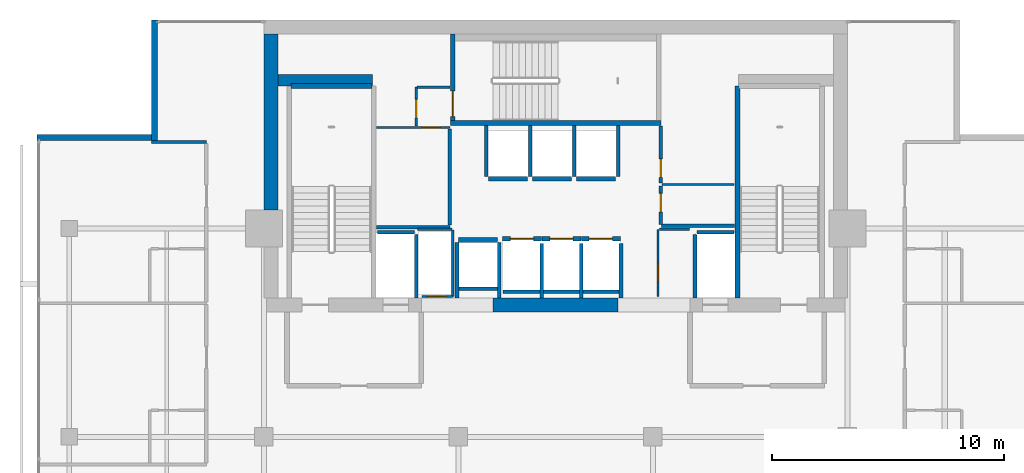
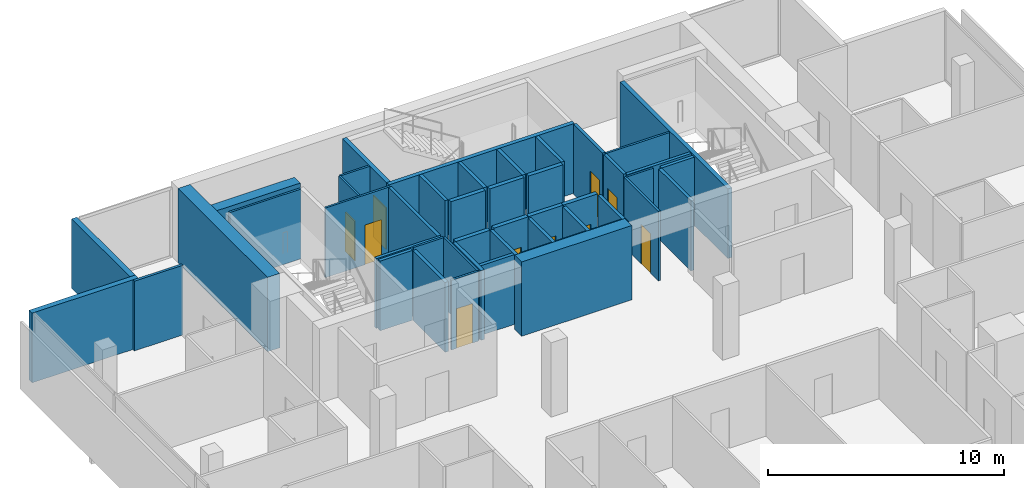
# One storey, part 22 of 25: 46 walls, 10 doors, 10 openings.
"""IFC4 building model written with IfcOpenShell, lengths in metres."""

from ifc_helpers import new_model, si_unit, direction, frame, frame_2d, origin, place, context, subcontext, project, spatial, rectangle, extrude, material, layer, layer_set, type_object, element, fill, save


model = new_model("IFC4")

# Units and contexts
model_context = context("Model", 3, precision=1e-05, world=origin(), true_north=direction((0.0, 1.0)))
body_context = subcontext(model_context, "Body", "Model", "MODEL_VIEW")
ifc_project = project(units=[si_unit("LENGTHUNIT", "METRE"), si_unit("AREAUNIT", "SQUARE_METRE"), si_unit("VOLUMEUNIT", "CUBIC_METRE"), si_unit("PLANEANGLEUNIT", "RADIAN"), si_unit("MASSUNIT", "GRAM", prefix="KILO")], contexts=[model_context])

# Site, building, storey
site_placement = place(None, origin())
site = spatial("IfcSite", under=ifc_project, at=site_placement, CompositionType="ELEMENT")
building_placement = place(site_placement, origin())
building = spatial("IfcBuilding", under=site, at=building_placement, Name="Maruvema Waterfront Hotel and Observation Tower", CompositionType="ELEMENT")
storey_placement = place(building_placement, frame((0.0, 0.0, 262.5)))
storey = spatial("IfcBuildingStorey", under=building, at=storey_placement, Name="L64", CompositionType="ELEMENT", Elevation=262.5)

# Walls
ifc_material_1 = material(Name="Twin-stud acoustic gypsum drywall", Category="gypsum")
ifc_layer_1 = layer(ifc_material_1, 0.14990234375, Name="Acoustic Corridor and Suite Demising Wall 150 mm")
ifc_layer_set_1 = layer_set([ifc_layer_1], Name="Twin-stud acoustic gypsum drywall")
wall_type_1 = type_object("IfcWallType", Name="Acoustic Corridor and Suite Demising Wall 150 mm", PredefinedType="PARTITIONING", material=ifc_layer_set_1)
wall_1_placement = place(storey_placement, frame((30.06005859375, 45.06005859375, 0.0), z_axis=(0.0, 0.0, 1.0), x_axis=(1.0, 0.0, 0.0)))
element("IfcWall", 1, at=wall_1_placement, inside=storey, type_object=wall_type_1, Name="L64 Freed B1 South Wall 012", PredefinedType="PARTITIONING", context=body_context, shape_type="SweptSolid", body=[
    extrude(rectangle(XDim=3.179931640625, YDim=0.14990234375, at=frame_2d((1.58984375, 0.0))), origin(), (0.0, 0.0, 1.0), 3.610107421875),
])
wall_2_placement = place(storey_placement, frame((33.219970703125, 45.139892578125, 0.0), z_axis=(0.0, 0.0, 1.0), x_axis=(0.0, 1.0, 0.0)))
element("IfcWall", 2, at=wall_2_placement, inside=storey, type_object=wall_type_1, Name="L64 Freed B1 East Wall 013", PredefinedType="PARTITIONING", context=body_context, shape_type="SweptSolid", body=[
    extrude(rectangle(XDim=4.16015625, YDim=0.14990234375, at=frame_2d((2.080078125, 0.0))), origin(), (0.0, 0.0, 1.0), 3.610107421875),
])

# Wall, opening, door
wall_3_placement = place(storey_placement, frame((42.340087890625, 45.159912109375, 0.0), z_axis=(0.0, 0.0, 1.0), x_axis=(0.0, 1.0, 0.0)))
wall_3 = element("IfcWall", 3, at=wall_3_placement, inside=storey, type_object=wall_type_1, Name="L64 Freed B2 West S 017", PredefinedType="PARTITIONING", context=body_context, shape_type="SweptSolid", body=[
    extrude(rectangle(XDim=1.68017578125, YDim=0.14990234375, at=frame_2d((0.840087890625, 0.0))), origin(), (0.0, 0.0, 1.0), 3.610107421875),
])
opening_1_placement = place(wall_3_placement, frame((0.550048828125, 0.0, 0.0)))
opening_1 = element("IfcOpeningElement", 4, at=opening_1_placement, cuts=wall_3, Name="Opening DR-080", PredefinedType="OPENING", context=body_context, shape_type="SweptSolid", body=[
    extrude(rectangle(XDim=0.800048828125, YDim=2.050048828125, at=frame_2d((0.39990234375, 1.02490234375))), frame((0.0, 0.0849609375, 0.0), z_axis=(0.0, -1.0, 0.0), x_axis=(1.0, 0.0, 0.0)), (0.0, 0.0, 1.0), 0.169921875),
])
ifc_material_2 = material(Name="Powder-coated steel access leaf", Category="steel")
door_type_1 = type_object("IfcDoorType", Name="Riser and Service Cupboard Door 800x2050 mm", OperationType="NOTDEFINED", PredefinedType="DOOR", material=ifc_material_2)
door_1_placement = place(opening_1_placement, frame((0.800048828125, 0.0, 0.0), z_axis=(0.0, 0.0, 1.0), x_axis=(-1.0, 0.0, 0.0)))
door_1 = element("IfcDoor", 5, at=door_1_placement, inside=storey, type_object=door_type_1, Name="L64 Butler Service Pantry Door", OperationType="SINGLE_SWING_LEFT", OverallHeight=2.050048828125, OverallWidth=0.800048828125, PredefinedType="DOOR", context=body_context, shape_type="SweptSolid", body=[
    extrude(rectangle(XDim=0.800048828125, YDim=2.050048828125, at=frame_2d((0.39990234375, 1.02490234375))), frame((0.0, 0.02490234375, 0.0), z_axis=(0.0, -1.0, 0.0), x_axis=(1.0, 0.0, 0.0)), (0.0, 0.0, 1.0), 0.050048828125),
])
fill(opening_1, door_1)

wall_4_placement = place(storey_placement, frame((42.340087890625, 46.9599609375, 0.0), z_axis=(0.0, 0.0, 1.0), x_axis=(0.0, 1.0, 0.0)))
wall_4 = element("IfcWall", 6, at=wall_4_placement, inside=storey, type_object=wall_type_1, Name="L64 Freed B2 West N 018", PredefinedType="PARTITIONING", context=body_context, shape_type="SweptSolid", body=[
    extrude(rectangle(XDim=2.4599609375, YDim=0.14990234375, at=frame_2d((1.22998046875, 0.0))), origin(), (0.0, 0.0, 1.0), 3.610107421875),
])
opening_2_placement = place(wall_4_placement, frame((0.239990234375, 0.0, 0.0)))
opening_2 = element("IfcOpeningElement", 7, at=opening_2_placement, cuts=wall_4, Name="Opening DR-080", PredefinedType="OPENING", context=body_context, shape_type="SweptSolid", body=[
    extrude(rectangle(XDim=0.800048828125, YDim=2.050048828125, at=frame_2d((0.39990234375, 1.02490234375))), frame((0.0, 0.0849609375, 0.0), z_axis=(0.0, -1.0, 0.0), x_axis=(1.0, 0.0, 0.0)), (0.0, 0.0, 1.0), 0.169921875),
])
door_2_placement = place(opening_2_placement, frame((0.800048828125, 0.0, 0.0), z_axis=(0.0, 0.0, 1.0), x_axis=(-1.0, 0.0, 0.0)))
door_2 = element("IfcDoor", 8, at=door_2_placement, inside=storey, type_object=door_type_1, Name="L64 Core IT and Linen Store Door", OperationType="SINGLE_SWING_RIGHT", OverallHeight=2.050048828125, OverallWidth=0.800048828125, PredefinedType="DOOR", context=body_context, shape_type="SweptSolid", body=[
    extrude(rectangle(XDim=0.800048828125, YDim=2.050048828125, at=frame_2d((0.39990234375, 1.02490234375))), frame((0.0, 0.02490234375, 0.0), z_axis=(0.0, -1.0, 0.0), x_axis=(1.0, 0.0, 0.0)), (0.0, 0.0, 1.0), 0.050048828125),
])
fill(opening_2, door_2)

# Walls
wall_5_placement = place(storey_placement, frame((42.3798828125, 45.1201171875, 0.0), z_axis=(0.0, 0.0, 1.0), x_axis=(1.0, 0.0, 0.0)))
element("IfcWall", 9, at=wall_5_placement, inside=storey, type_object=wall_type_1, Name="L64 Freed B2 South Wall 020", PredefinedType="PARTITIONING", context=body_context, shape_type="SweptSolid", body=[
    extrude(rectangle(XDim=3.14013671875, YDim=0.14990234375, at=frame_2d((1.570068359375, 0.0))), origin(), (0.0, 0.0, 1.0), 3.610107421875),
])
ifc_material_3 = material(Name="Precast concrete C45/55", Category="concrete")
ifc_layer_2 = layer(ifc_material_3, 0.199951171875, Name="Core Shaft and Stairwell Enclosure Wall 200 mm")
ifc_layer_set_2 = layer_set([ifc_layer_2], Name="Precast concrete C45/55")
wall_type_2 = type_object("IfcWallType", Name="Core Shaft and Stairwell Enclosure Wall 200 mm", PredefinedType="SOLIDWALL", material=ifc_layer_set_2)
wall_6_placement = place(storey_placement, frame((26.3798828125, 51.14990234375, 0.0), z_axis=(0.0, 0.0, 1.0), x_axis=(1.0, 0.0, 0.0)))
element("IfcWall", 10, at=wall_6_placement, inside=storey, type_object=wall_type_2, Name="L64 Stairwell ST-01 Shaft Lining Wall", PredefinedType="SOLIDWALL", context=body_context, shape_type="SweptSolid", body=[
    extrude(rectangle(XDim=3.5, YDim=0.199951171875, at=frame_2d((1.75, 0.0))), origin(), (0.0, 0.0, 1.0), 3.610107421875),
])
wall_7_placement = place(storey_placement, frame((33.25, 49.550048828125, 0.0), z_axis=(0.0, 0.0, 1.0), x_axis=(1.0, 0.0, 0.0)))
element("IfcWall", 11, at=wall_7_placement, inside=storey, type_object=wall_type_2, Name="L64 Stairwell ST-02 Shaft Wall", PredefinedType="SOLIDWALL", context=body_context, shape_type="SweptSolid", body=[
    extrude(rectangle(XDim=9.10009765625, YDim=0.199951171875, at=frame_2d((4.550048828125, 0.0))), origin(), (0.0, 0.0, 1.0), 3.610107421875),
])

# Wall, opening, door
wall_8_placement = place(storey_placement, frame((33.35009765625, 49.64990234375, 0.0), z_axis=(0.0, 0.0, 1.0), x_axis=(0.0, 1.0, 0.0)))
wall_8 = element("IfcWall", 12, at=wall_8_placement, inside=storey, type_object=wall_type_2, Name="L64 Stairwell ST-02 Shaft Wall", PredefinedType="SOLIDWALL", context=body_context, shape_type="SweptSolid", body=[
    extrude(rectangle(XDim=3.75, YDim=0.199951171875, at=frame_2d((1.875, 0.0))), origin(), (0.0, 0.0, 1.0), 3.610107421875),
])
opening_3_placement = place(wall_8_placement, frame((0.179931640625, 0.0, 0.0)))
opening_3 = element("IfcOpeningElement", 13, at=opening_3_placement, cuts=wall_8, Name="Opening SD-02", PredefinedType="OPENING", context=body_context, shape_type="SweptSolid", body=[
    extrude(rectangle(XDim=1.10009765625, YDim=2.14990234375, at=frame_2d((0.550048828125, 1.074951171875))), frame((0.0, 0.10986328125, 0.0), z_axis=(0.0, -1.0, 0.0), x_axis=(1.0, 0.0, 0.0)), (0.0, 0.0, 1.0), 0.219970703125),
])
ifc_material_4 = material(Name="Fire-rated galvanised steel leaf", Category="steel")
door_type_2 = type_object("IfcDoorType", Name="Central Exit Stair Fire Door 1100x2150 mm", OperationType="NOTDEFINED", PredefinedType="DOOR", material=ifc_material_4)
door_3_placement = place(opening_3_placement, frame((1.10009765625, 0.0, 0.0), z_axis=(0.0, 0.0, 1.0), x_axis=(-1.0, 0.0, 0.0)))
door_3 = element("IfcDoor", 14, at=door_3_placement, inside=storey, type_object=door_type_2, Name="L64 Exit Stair ST-02 Fire Door", OperationType="SINGLE_SWING_LEFT", OverallHeight=2.14990234375, OverallWidth=1.10009765625, PredefinedType="DOOR", context=body_context, shape_type="SweptSolid", body=[
    extrude(rectangle(XDim=1.10009765625, YDim=2.14990234375, at=frame_2d((0.550048828125, 1.074951171875))), frame((0.0, 0.02490234375, 0.0), z_axis=(0.0, -1.0, 0.0), x_axis=(1.0, 0.0, 0.0)), (0.0, 0.0, 1.0), 0.050048828125),
])
fill(opening_3, door_3)

# Wall
wall_9_placement = place(storey_placement, frame((45.64990234375, 42.0, 0.0), z_axis=(0.0, 0.0, 1.0), x_axis=(0.0, 1.0, 0.0)))
element("IfcWall", 15, at=wall_9_placement, inside=storey, type_object=wall_type_2, Name="L64 Stairwell ST-03 West Shaft Wall", PredefinedType="SOLIDWALL", context=body_context, shape_type="SweptSolid", body=[
    extrude(rectangle(XDim=9.14990234375, YDim=0.199951171875, at=frame_2d((4.574951171875, 0.0))), origin(), (0.0, 0.0, 1.0), 3.610107421875),
])

# Wall, opening, door
wall_10_placement = place(storey_placement, frame((35.510009765625, 44.550048828125, 0.0), z_axis=(0.0, 0.0, 1.0), x_axis=(1.0, 0.0, 0.0)))
wall_10 = element("IfcWall", 16, at=wall_10_placement, inside=storey, type_object=wall_type_2, Name="L64 Lift LF-09 Hoistway Front Wall", PredefinedType="SOLIDWALL", context=body_context, shape_type="SweptSolid", body=[
    extrude(rectangle(XDim=1.679931640625, YDim=0.199951171875, at=frame_2d((0.83984375, 0.0))), origin(), (0.0, 0.0, 1.0), 3.610107421875),
])
opening_4_placement = place(wall_10_placement, frame((0.340087890625, 0.0, 0.0)))
opening_4 = element("IfcOpeningElement", 17, at=opening_4_placement, cuts=wall_10, Name="Opening LD-01", PredefinedType="OPENING", context=body_context, shape_type="SweptSolid", body=[
    extrude(rectangle(XDim=1.0, YDim=2.14990234375, at=frame_2d((0.5, 1.074951171875))), frame((0.0, 0.10986328125, 0.0), z_axis=(0.0, -1.0, 0.0), x_axis=(1.0, 0.0, 0.0)), (0.0, 0.0, 1.0), 0.219970703125),
])
ifc_material_5 = material(Name="Brushed stainless steel Grade 316", Category="steel")
door_type_3 = type_object("IfcDoorType", Name="Passenger Lift Sliding Landing Door 1000x2150 mm", OperationType="SLIDING_TO_LEFT", PredefinedType="DOOR", material=ifc_material_5)
door_4_placement = place(opening_4_placement, origin())
door_4 = element("IfcDoor", 18, at=door_4_placement, inside=storey, type_object=door_type_3, Name="L64 Lift LF-09 Sliding Landing Door", OperationType="SLIDING_TO_LEFT", OverallHeight=2.14990234375, OverallWidth=1.0, PredefinedType="DOOR", context=body_context, shape_type="SweptSolid", body=[
    extrude(rectangle(XDim=1.0, YDim=2.14990234375, at=frame_2d((0.5, 1.074951171875))), frame((0.0, 0.02490234375, 0.0), z_axis=(0.0, -1.0, 0.0), x_axis=(1.0, 0.0, 0.0)), (0.0, 0.0, 1.0), 0.050048828125),
])
fill(opening_4, door_4)

wall_11_placement = place(storey_placement, frame((37.2099609375, 44.550048828125, 0.0), z_axis=(0.0, 0.0, 1.0), x_axis=(1.0, 0.0, 0.0)))
wall_11 = element("IfcWall", 19, at=wall_11_placement, inside=storey, type_object=wall_type_2, Name="L64 Lift LF-10 Hoistway Front Wall", PredefinedType="SOLIDWALL", context=body_context, shape_type="SweptSolid", body=[
    extrude(rectangle(XDim=1.679931640625, YDim=0.199951171875, at=frame_2d((0.83984375, 0.0))), origin(), (0.0, 0.0, 1.0), 3.610107421875),
])
opening_5_placement = place(wall_11_placement, frame((0.340087890625, 0.0, 0.0)))
opening_5 = element("IfcOpeningElement", 20, at=opening_5_placement, cuts=wall_11, Name="Opening LD-01", PredefinedType="OPENING", context=body_context, shape_type="SweptSolid", body=[
    extrude(rectangle(XDim=1.0, YDim=2.14990234375, at=frame_2d((0.5, 1.074951171875))), frame((0.0, 0.10986328125, 0.0), z_axis=(0.0, -1.0, 0.0), x_axis=(1.0, 0.0, 0.0)), (0.0, 0.0, 1.0), 0.219970703125),
])
door_5_placement = place(opening_5_placement, origin())
door_5 = element("IfcDoor", 21, at=door_5_placement, inside=storey, type_object=door_type_3, Name="L64 Lift LF-10 Sliding Landing Door", OperationType="SLIDING_TO_LEFT", OverallHeight=2.14990234375, OverallWidth=1.0, PredefinedType="DOOR", context=body_context, shape_type="SweptSolid", body=[
    extrude(rectangle(XDim=1.0, YDim=2.14990234375, at=frame_2d((0.5, 1.074951171875))), frame((0.0, 0.02490234375, 0.0), z_axis=(0.0, -1.0, 0.0), x_axis=(1.0, 0.0, 0.0)), (0.0, 0.0, 1.0), 0.050048828125),
])
fill(opening_5, door_5)

wall_12_placement = place(storey_placement, frame((38.909912109375, 44.550048828125, 0.0), z_axis=(0.0, 0.0, 1.0), x_axis=(1.0, 0.0, 0.0)))
wall_12 = element("IfcWall", 22, at=wall_12_placement, inside=storey, type_object=wall_type_2, Name="L64 Lift LF-11 Hoistway Front Wall", PredefinedType="SOLIDWALL", context=body_context, shape_type="SweptSolid", body=[
    extrude(rectangle(XDim=1.68017578125, YDim=0.199951171875, at=frame_2d((0.840087890625, 0.0))), origin(), (0.0, 0.0, 1.0), 3.610107421875),
])
opening_6_placement = place(wall_12_placement, frame((0.340087890625, 0.0, 0.0)))
opening_6 = element("IfcOpeningElement", 23, at=opening_6_placement, cuts=wall_12, Name="Opening LD-01", PredefinedType="OPENING", context=body_context, shape_type="SweptSolid", body=[
    extrude(rectangle(XDim=1.0, YDim=2.14990234375, at=frame_2d((0.5, 1.074951171875))), frame((0.0, 0.10986328125, 0.0), z_axis=(0.0, -1.0, 0.0), x_axis=(1.0, 0.0, 0.0)), (0.0, 0.0, 1.0), 0.219970703125),
])
door_6_placement = place(opening_6_placement, origin())
door_6 = element("IfcDoor", 24, at=door_6_placement, inside=storey, type_object=door_type_3, Name="L64 Lift LF-11 Sliding Landing Door", OperationType="SLIDING_TO_LEFT", OverallHeight=2.14990234375, OverallWidth=1.0, PredefinedType="DOOR", context=body_context, shape_type="SweptSolid", body=[
    extrude(rectangle(XDim=1.0, YDim=2.14990234375, at=frame_2d((0.5, 1.074951171875))), frame((0.0, 0.02490234375, 0.0), z_axis=(0.0, -1.0, 0.0), x_axis=(1.0, 0.0, 0.0)), (0.0, 0.0, 1.0), 0.050048828125),
])
fill(opening_6, door_6)

# Walls
wall_13_placement = place(storey_placement, frame((34.909912109375, 47.14990234375, 0.0), z_axis=(0.0, 0.0, 1.0), x_axis=(1.0, 0.0, 0.0)))
element("IfcWall", 25, at=wall_13_placement, inside=storey, type_object=wall_type_2, Name="L64 Lift LF-12 Hoistway Front Wall", PredefinedType="SOLIDWALL", context=body_context, shape_type="SweptSolid", body=[
    extrude(rectangle(XDim=1.68017578125, YDim=0.199951171875, at=frame_2d((0.840087890625, 0.0))), origin(), (0.0, 0.0, 1.0), 3.610107421875),
])
for number, where, z_axis, x_axis, name in (
    (26, (36.81005859375, 47.14990234375, 0.0), (0.0, 0.0, 1.0), (1.0, 0.0, 0.0), "L64 Lift LF-13 Hoistway Front Wall"),
    (27, (38.7099609375, 47.14990234375, 0.0), (0.0, 0.0, 1.0), (1.0, 0.0, 0.0), "L64 Lift LF-14 Hoistway Front Wall"),
    (28, (33.610107421875, 44.5, 0.0), (0.0, 0.0, 1.0), (1.0, 0.0, 0.0), "L64 Lift LF-15 Hoistway Front Wall"),
):
    element("IfcWall", number, at=place(storey_placement, frame(where, z_axis=z_axis, x_axis=x_axis)), inside=storey, type_object=wall_type_2, Name=name, PredefinedType="SOLIDWALL", context=body_context, shape_type="SweptSolid", body=[
        extrude(rectangle(XDim=1.679931640625, YDim=0.199951171875, at=frame_2d((0.83984375, 0.0))), origin(), (0.0, 0.0, 1.0), 3.610107421875),
    ])
ifc_material_6 = material(Name="Concrete C70/85", Category="concrete")
ifc_layer_3 = layer(ifc_material_6, 0.5, Name="Core Shear Wall 500 mm")
ifc_layer_set_3 = layer_set([ifc_layer_3], Name="Concrete C70/85")
wall_type_3 = type_object("IfcWallType", Name="Core Shear Wall 500 mm", PredefinedType="SHEAR", material=ifc_layer_set_3)
wall_14_placement = place(storey_placement, frame((25.800048828125, 51.39990234375, 0.0), z_axis=(0.0, 0.0, 1.0), x_axis=(1.0, 0.0, 0.0)))
element("IfcWall", 29, at=wall_14_placement, inside=storey, type_object=wall_type_3, Name="L64 Internal Core Shear Wall NW 500 mm", PredefinedType="SHEAR", context=body_context, shape_type="SweptSolid", body=[
    extrude(rectangle(XDim=4.099853515625, YDim=0.5, at=frame_2d((2.0498046875, 0.0))), origin(), (0.0, 0.0, 1.0), 3.85009765625),
])
ifc_material_7 = material(Name="Concrete C60/75", Category="concrete")
ifc_layer_4 = layer(ifc_material_7, 0.60009765625, Name="Core Shear Wall 600 mm")
ifc_layer_set_4 = layer_set([ifc_layer_4], Name="Concrete C60/75")
wall_type_4 = type_object("IfcWallType", Name="Core Shear Wall 600 mm", PredefinedType="SHEAR", material=ifc_layer_set_4)
wall_15_placement = place(storey_placement, frame((35.10009765625, 41.699951171875, 0.0), z_axis=(0.0, 0.0, 1.0), x_axis=(1.0, 0.0, 0.0)))
element("IfcWall", 30, at=wall_15_placement, inside=storey, type_object=wall_type_4, Name="L64 South-Central Core Shear Wall", PredefinedType="SHEAR", context=body_context, shape_type="SweptSolid", body=[
    extrude(rectangle(XDim=5.39990234375, YDim=0.60009765625, at=frame_2d((2.699951171875, 0.0))), origin(), (0.0, 0.0, 1.0), 3.85009765625),
])
wall_16_placement = place(storey_placement, frame((25.5, 45.800048828125, 0.0), z_axis=(0.0, 0.0, 1.0), x_axis=(0.0, 1.0, 0.0)))
element("IfcWall", 31, at=wall_16_placement, inside=storey, type_object=wall_type_4, Name="L64 West-North Core Shear Wall", PredefinedType="SHEAR", context=body_context, shape_type="SweptSolid", body=[
    extrude(rectangle(XDim=7.599853515625, YDim=0.60009765625, at=frame_2d((3.7998046875, 0.0))), origin(), (0.0, 0.0, 1.0), 3.85009765625),
])

# Wall, opening, door
ifc_material_8 = material(Name="Moisture-resistant cement-board drywall", Category="gypsum")
ifc_layer_5 = layer(ifc_material_8, 0.10009765625, Name="En-Suite Moisture-Resistant Partition 100 mm")
ifc_layer_set_5 = layer_set([ifc_layer_5], Name="Moisture-resistant cement-board drywall")
wall_type_5 = type_object("IfcWallType", Name="En-Suite Moisture-Resistant Partition 100 mm", PredefinedType="PARTITIONING", material=ifc_layer_set_5)
wall_17_placement = place(storey_placement, frame((32.02001953125, 42.06005859375, 0.0), z_axis=(0.0, 0.0, 1.0), x_axis=(1.0, 0.0, 0.0)))
wall_17 = element("IfcWall", 32, at=wall_17_placement, inside=storey, type_object=wall_type_5, Name="L64 Telecom Riser South Wall 007", PredefinedType="PARTITIONING", context=body_context, shape_type="SweptSolid", body=[
    extrude(rectangle(XDim=1.320068359375, YDim=0.10009765625, at=frame_2d((0.66015625, 0.0))), origin(), (0.0, 0.0, 1.0), 3.610107421875),
])
opening_7_placement = place(wall_17_placement, frame((0.239990234375, 0.0, 0.0)))
opening_7 = element("IfcOpeningElement", 33, at=opening_7_placement, cuts=wall_17, Name="Opening DR-080", PredefinedType="OPENING", context=body_context, shape_type="SweptSolid", body=[
    extrude(rectangle(XDim=0.800048828125, YDim=2.050048828125, at=frame_2d((0.39990234375, 1.02490234375))), frame((0.0, 0.06005859375, 0.0), z_axis=(0.0, -1.0, 0.0), x_axis=(1.0, 0.0, 0.0)), (0.0, 0.0, 1.0), 0.1201171875),
])
door_7_placement = place(opening_7_placement, frame((0.800048828125, 0.0, 0.0), z_axis=(0.0, 0.0, 1.0), x_axis=(-1.0, 0.0, 0.0)))
door_7 = element("IfcDoor", 34, at=door_7_placement, inside=storey, type_object=door_type_1, Name="L64 Telecom Riser Door", OperationType="SINGLE_SWING_LEFT", OverallHeight=2.050048828125, OverallWidth=0.800048828125, PredefinedType="DOOR", context=body_context, shape_type="SweptSolid", body=[
    extrude(rectangle(XDim=0.800048828125, YDim=2.050048828125, at=frame_2d((0.39990234375, 1.02490234375))), frame((0.0, 0.02490234375, 0.0), z_axis=(0.0, -1.0, 0.0), x_axis=(1.0, 0.0, 0.0)), (0.0, 0.0, 1.0), 0.050048828125),
])
fill(opening_7, door_7)

# Walls
wall_18_placement = place(storey_placement, frame((31.840087890625, 44.9599609375, 0.0), z_axis=(0.0, 0.0, 1.0), x_axis=(1.0, 0.0, 0.0)))
element("IfcWall", 35, at=wall_18_placement, inside=storey, type_object=wall_type_5, Name="L64 Telecom Riser North Wall 008", PredefinedType="PARTITIONING", context=body_context, shape_type="SweptSolid", body=[
    extrude(rectangle(XDim=1.47998046875, YDim=0.10009765625, at=frame_2d((0.739990234375, 0.0))), origin(), (0.0, 0.0, 1.0), 3.610107421875),
])
wall_19_placement = place(storey_placement, frame((33.360107421875, 42.06005859375, 0.0), z_axis=(0.0, 0.0, 1.0), x_axis=(0.0, 1.0, 0.0)))
element("IfcWall", 36, at=wall_19_placement, inside=storey, type_object=wall_type_5, Name="L64 Telecom Riser East Wall 009", PredefinedType="PARTITIONING", context=body_context, shape_type="SweptSolid", body=[
    extrude(rectangle(XDim=2.8798828125, YDim=0.10009765625, at=frame_2d((1.43994140625, 0.0))), origin(), (0.0, 0.0, 1.0), 3.610107421875),
])

# Wall, opening, door
wall_20_placement = place(storey_placement, frame((42.219970703125, 42.050048828125, 0.0), z_axis=(0.0, 0.0, 1.0), x_axis=(0.0, 1.0, 0.0)))
wall_20 = element("IfcWall", 37, at=wall_20_placement, inside=storey, type_object=wall_type_5, Name="L64 Core Closet K1 West 010", PredefinedType="PARTITIONING", context=body_context, shape_type="SweptSolid", body=[
    extrude(rectangle(XDim=2.909912109375, YDim=0.10009765625, at=frame_2d((1.455078125, 0.0))), origin(), (0.0, 0.0, 1.0), 3.610107421875),
])
opening_8_placement = place(wall_20_placement, frame((0.64990234375, 0.0, 0.0)))
opening_8 = element("IfcOpeningElement", 38, at=opening_8_placement, cuts=wall_20, Name="Opening DR-080", PredefinedType="OPENING", context=body_context, shape_type="SweptSolid", body=[
    extrude(rectangle(XDim=0.800048828125, YDim=2.050048828125, at=frame_2d((0.39990234375, 1.02490234375))), frame((0.0, 0.06005859375, 0.0), z_axis=(0.0, -1.0, 0.0), x_axis=(1.0, 0.0, 0.0)), (0.0, 0.0, 1.0), 0.1201171875),
])
door_8_placement = place(opening_8_placement, frame((0.800048828125, 0.0, 0.0), z_axis=(0.0, 0.0, 1.0), x_axis=(-1.0, 0.0, 0.0)))
door_8 = element("IfcDoor", 39, at=door_8_placement, inside=storey, type_object=door_type_1, Name="L64 Core Cleaning Store Door", OperationType="SINGLE_SWING_RIGHT", OverallHeight=2.050048828125, OverallWidth=0.800048828125, PredefinedType="DOOR", context=body_context, shape_type="SweptSolid", body=[
    extrude(rectangle(XDim=0.800048828125, YDim=2.050048828125, at=frame_2d((0.39990234375, 1.02490234375))), frame((0.0, 0.02490234375, 0.0), z_axis=(0.0, -1.0, 0.0), x_axis=(1.0, 0.0, 0.0)), (0.0, 0.0, 1.0), 0.050048828125),
])
fill(opening_8, door_8)

# Wall
wall_21_placement = place(storey_placement, frame((42.280029296875, 44.9599609375, 0.0), z_axis=(0.0, 0.0, 1.0), x_axis=(1.0, 0.0, 0.0)))
element("IfcWall", 40, at=wall_21_placement, inside=storey, type_object=wall_type_5, Name="L64 Core Closet K1 North 011", PredefinedType="PARTITIONING", context=body_context, shape_type="SweptSolid", body=[
    extrude(rectangle(XDim=1.300048828125, YDim=0.10009765625, at=frame_2d((0.64990234375, 0.0))), origin(), (0.0, 0.0, 1.0), 3.610107421875),
])

# Wall, opening, door
wall_22_placement = place(storey_placement, frame((30.06005859375, 49.360107421875, 0.0), z_axis=(0.0, 0.0, 1.0), x_axis=(1.0, 0.0, 0.0)))
wall_22 = element("IfcWall", 41, at=wall_22_placement, inside=storey, type_object=wall_type_5, Name="L64 Freed B1 Mid Wall 014", PredefinedType="PARTITIONING", context=body_context, shape_type="SweptSolid", body=[
    extrude(rectangle(XDim=3.179931640625, YDim=0.10009765625, at=frame_2d((1.58984375, 0.0))), origin(), (0.0, 0.0, 1.0), 3.610107421875),
])
opening_9_placement = place(wall_22_placement, frame((1.949951171875, 0.0, 0.0)))
opening_9 = element("IfcOpeningElement", 42, at=opening_9_placement, cuts=wall_22, Name="Opening DR-080", PredefinedType="OPENING", context=body_context, shape_type="SweptSolid", body=[
    extrude(rectangle(XDim=0.800048828125, YDim=2.050048828125, at=frame_2d((0.39990234375, 1.02490234375))), frame((0.0, 0.06005859375, 0.0), z_axis=(0.0, -1.0, 0.0), x_axis=(1.0, 0.0, 0.0)), (0.0, 0.0, 1.0), 0.1201171875),
])
door_9_placement = place(opening_9_placement, origin())
door_9 = element("IfcDoor", 43, at=door_9_placement, inside=storey, type_object=door_type_1, Name="L64 Housekeeping and Linen Room Door", OperationType="SINGLE_SWING_LEFT", OverallHeight=2.050048828125, OverallWidth=0.800048828125, PredefinedType="DOOR", context=body_context, shape_type="SweptSolid", body=[
    extrude(rectangle(XDim=0.800048828125, YDim=2.050048828125, at=frame_2d((0.39990234375, 1.02490234375))), frame((0.0, 0.02490234375, 0.0), z_axis=(0.0, -1.0, 0.0), x_axis=(1.0, 0.0, 0.0)), (0.0, 0.0, 1.0), 0.050048828125),
])
fill(opening_9, door_9)

wall_23_placement = place(storey_placement, frame((31.780029296875, 49.419921875, 0.0), z_axis=(0.0, 0.0, 1.0), x_axis=(0.0, 1.0, 0.0)))
wall_23 = element("IfcWall", 44, at=wall_23_placement, inside=storey, type_object=wall_type_5, Name="L64 Freed B1 NW East Wall 015", PredefinedType="PARTITIONING", context=body_context, shape_type="SweptSolid", body=[
    extrude(rectangle(XDim=1.68017578125, YDim=0.10009765625, at=frame_2d((0.840087890625, 0.0))), origin(), (0.0, 0.0, 1.0), 3.610107421875),
])
opening_10_placement = place(wall_23_placement, frame((0.35009765625, 0.0, 0.0)))
opening_10 = element("IfcOpeningElement", 45, at=opening_10_placement, cuts=wall_23, Name="Opening DR-080", PredefinedType="OPENING", context=body_context, shape_type="SweptSolid", body=[
    extrude(rectangle(XDim=0.800048828125, YDim=2.050048828125, at=frame_2d((0.39990234375, 1.02490234375))), frame((0.0, 0.06005859375, 0.0), z_axis=(0.0, -1.0, 0.0), x_axis=(1.0, 0.0, 0.0)), (0.0, 0.0, 1.0), 0.1201171875),
])
door_10_placement = place(opening_10_placement, origin())
door_10 = element("IfcDoor", 46, at=door_10_placement, inside=storey, type_object=door_type_1, Name="L64 Guest Floor Pantry Door", OperationType="SINGLE_SWING_RIGHT", OverallHeight=2.050048828125, OverallWidth=0.800048828125, PredefinedType="DOOR", context=body_context, shape_type="SweptSolid", body=[
    extrude(rectangle(XDim=0.800048828125, YDim=2.050048828125, at=frame_2d((0.39990234375, 1.02490234375))), frame((0.0, 0.02490234375, 0.0), z_axis=(0.0, -1.0, 0.0), x_axis=(1.0, 0.0, 0.0)), (0.0, 0.0, 1.0), 0.050048828125),
])
fill(opening_10, door_10)

# Walls
wall_24_placement = place(storey_placement, frame((31.820068359375, 51.10009765625, 0.0), z_axis=(0.0, 0.0, 1.0), x_axis=(1.0, 0.0, 0.0)))
element("IfcWall", 47, at=wall_24_placement, inside=storey, type_object=wall_type_5, Name="L64 Freed B1 Vestibule North Wall 016", PredefinedType="PARTITIONING", context=body_context, shape_type="SweptSolid", body=[
    extrude(rectangle(XDim=1.419921875, YDim=0.10009765625, at=frame_2d((0.7099609375, 0.0))), origin(), (0.0, 0.0, 1.0), 3.610107421875),
])
wall_25_placement = place(storey_placement, frame((42.39990234375, 46.89990234375, 0.0), z_axis=(0.0, 0.0, 1.0), x_axis=(1.0, 0.0, 0.0)))
element("IfcWall", 48, at=wall_25_placement, inside=storey, type_object=wall_type_5, Name="L64 Freed B2 Split 019", PredefinedType="PARTITIONING", context=body_context, shape_type="SweptSolid", body=[
    extrude(rectangle(XDim=3.10009765625, YDim=0.10009765625, at=frame_2d((1.550048828125, 0.0))), origin(), (0.0, 0.0, 1.0), 3.610107421875),
])
ifc_material_9 = material(Name="Precast concrete C45/55 with honed Pernambuco granite facing", Category="masonry")
ifc_layer_6 = layer(ifc_material_9, 0.260009765625, Name="Exterior Granite Clad Spandrel and Pier Wall 260 mm")
ifc_layer_set_6 = layer_set([ifc_layer_6], Name="Precast concrete C45/55 with honed Pernambuco granite facing")
wall_type_6 = type_object("IfcWallType", Name="Exterior Granite Clad Spandrel and Pier Wall 260 mm", PredefinedType="SOLIDWALL", material=ifc_layer_set_6)
wall_26_placement = place(storey_placement, frame((20.469970703125, 48.800048828125, 0.0), z_axis=(0.0, 0.0, 1.0), x_axis=(0.0, 1.0, 0.0)))
element("IfcWall", 49, at=wall_26_placement, inside=storey, type_object=wall_type_6, Name="L64 Corner Notch Granite Pier Wall NW1", PredefinedType="SOLIDWALL", context=body_context, shape_type="SweptSolid", body=[
    extrude(rectangle(XDim=5.199951171875, YDim=0.260009765625, at=frame_2d((2.60009765625, 0.0))), origin(), (0.0, 0.0, 1.0), 3.610107421875),
])
wall_27_placement = place(storey_placement, frame((15.39990234375, 48.929931640625, 0.0), z_axis=(0.0, 0.0, 1.0), x_axis=(1.0, 0.0, 0.0)))
element("IfcWall", 50, at=wall_27_placement, inside=storey, type_object=wall_type_6, Name="L64 Corner Notch Granite Pier Wall NW2", PredefinedType="SOLIDWALL", context=body_context, shape_type="SweptSolid", body=[
    extrude(rectangle(XDim=5.2001953125, YDim=0.260009765625, at=frame_2d((2.60009765625, 0.0))), origin(), (0.0, 0.0, 1.0), 3.610107421875),
])
ifc_material_10 = material(Name="Acoustic gypsum plasterboard drywall", Category="gypsum")
ifc_layer_7 = layer(ifc_material_10, 0.125, Name="Guestroom Acoustic Demising Wall 125 mm")
ifc_layer_set_7 = layer_set([ifc_layer_7], Name="Acoustic gypsum plasterboard drywall")
wall_type_7 = type_object("IfcWallType", Name="Guestroom Acoustic Demising Wall 125 mm", PredefinedType="PARTITIONING", material=ifc_layer_set_7)
wall_28_placement = place(storey_placement, frame((20.340087890625, 48.737548828125, 0.0), z_axis=(0.0, 0.0, 1.0), x_axis=(1.0, 0.0, 0.0)))
element("IfcWall", 51, at=wall_28_placement, inside=storey, type_object=wall_type_7, Name="L64 Z3 NW Top End 081", PredefinedType="PARTITIONING", context=body_context, shape_type="SweptSolid", body=[
    extrude(rectangle(XDim=2.3798828125, YDim=0.125, at=frame_2d((1.18994140625, 0.0))), origin(), (0.0, 0.0, 1.0), 3.610107421875),
])
ifc_material_11 = material(Name="Precast concrete C45/55", Category="concrete")
ifc_layer_8 = layer(ifc_material_11, 0.159912109375, Name="Lift Hoistway Divider Wall 160 mm")
ifc_layer_set_8 = layer_set([ifc_layer_8], Name="Precast concrete C45/55")
wall_type_8 = type_object("IfcWallType", Name="Lift Hoistway Divider Wall 160 mm", PredefinedType="SOLIDWALL", material=ifc_layer_set_8)
wall_29_placement = place(storey_placement, frame((30.10009765625, 44.830078125, 0.0), z_axis=(0.0, 0.0, 1.0), x_axis=(1.0, 0.0, 0.0)))
element("IfcWall", 52, at=wall_29_placement, inside=storey, type_object=wall_type_8, Name="L64 Lift FL-01 Rear Hoistway Wall", PredefinedType="SOLIDWALL", context=body_context, shape_type="SweptSolid", body=[
    extrude(rectangle(XDim=1.599853515625, YDim=0.159912109375, at=frame_2d((0.7998046875, 0.0))), origin(), (0.0, 0.0, 1.0), 3.610107421875),
])
wall_30_placement = place(storey_placement, frame((31.780029296875, 42.0, 0.0), z_axis=(0.0, 0.0, 1.0), x_axis=(0.0, 1.0, 0.0)))
element("IfcWall", 53, at=wall_30_placement, inside=storey, type_object=wall_type_8, Name="L64 Lift FL-01 Inner Hoistway Wall", PredefinedType="SOLIDWALL", context=body_context, shape_type="SweptSolid", body=[
    extrude(rectangle(XDim=2.739990234375, YDim=0.159912109375, at=frame_2d((1.3701171875, 0.0))), origin(), (0.0, 0.0, 1.0), 3.610107421875),
])
wall_31_placement = place(storey_placement, frame((43.89990234375, 44.830078125, 0.0), z_axis=(0.0, 0.0, 1.0), x_axis=(1.0, 0.0, 0.0)))
element("IfcWall", 54, at=wall_31_placement, inside=storey, type_object=wall_type_8, Name="L64 Lift FL-02 Rear Hoistway Wall", PredefinedType="SOLIDWALL", context=body_context, shape_type="SweptSolid", body=[
    extrude(rectangle(XDim=1.60009765625, YDim=0.159912109375, at=frame_2d((0.800048828125, 0.0))), origin(), (0.0, 0.0, 1.0), 3.610107421875),
])
wall_32_placement = place(storey_placement, frame((43.820068359375, 42.0, 0.0), z_axis=(0.0, 0.0, 1.0), x_axis=(0.0, 1.0, 0.0)))
element("IfcWall", 55, at=wall_32_placement, inside=storey, type_object=wall_type_8, Name="L64 Lift FL-02 Inner Hoistway Wall", PredefinedType="SOLIDWALL", context=body_context, shape_type="SweptSolid", body=[
    extrude(rectangle(XDim=2.739990234375, YDim=0.159912109375, at=frame_2d((1.3701171875, 0.0))), origin(), (0.0, 0.0, 1.0), 3.610107421875),
])
for number, where, z_axis, x_axis, name in (
    (56, (37.199951171875, 42.0, 0.0), (0.0, 0.0, 1.0), (0.0, 1.0, 0.0), "L64 Hoistway Divider Wall"),
    (57, (38.89990234375, 42.0, 0.0), (0.0, 0.0, 1.0), (0.0, 1.0, 0.0), "L64 Hoistway Divider Wall"),
    (58, (40.6201171875, 42.0, 0.0), (0.0, 0.0, 1.0), (0.0, 1.0, 0.0), "L64 Hoistway Divider Wall"),
):
    element("IfcWall", number, at=place(storey_placement, frame(where, z_axis=z_axis, x_axis=x_axis)), inside=storey, type_object=wall_type_8, Name=name, PredefinedType="SOLIDWALL", context=body_context, shape_type="SweptSolid", body=[
        extrude(rectangle(XDim=2.35009765625, YDim=0.159912109375, at=frame_2d((1.175048828125, 0.0))), origin(), (0.0, 0.0, 1.0), 3.610107421875),
    ])
wall_33_placement = place(storey_placement, frame((35.52001953125, 42.260009765625, 0.0), z_axis=(0.0, 0.0, 1.0), x_axis=(1.0, 0.0, 0.0)))
element("IfcWall", 59, at=wall_33_placement, inside=storey, type_object=wall_type_8, Name="L64 Hoistway Divider Wall", PredefinedType="SOLIDWALL", context=body_context, shape_type="SweptSolid", body=[
    extrude(rectangle(XDim=5.02001953125, YDim=0.159912109375, at=frame_2d((2.510009765625, 0.0))), origin(), (0.0, 0.0, 1.0), 3.610107421875),
])
for number, where, z_axis, x_axis, name in (
    (60, (34.800048828125, 47.25, 0.0), (0.0, 0.0, 1.0), (0.0, 1.0, 0.0), "L64 Hoistway Divider Wall"),
    (61, (36.699951171875, 47.25, 0.0), (0.0, 0.0, 1.0), (0.0, 1.0, 0.0), "L64 Hoistway Divider Wall"),
    (62, (38.60009765625, 47.25, 0.0), (0.0, 0.0, 1.0), (0.0, 1.0, 0.0), "L64 Hoistway Divider Wall"),
    (63, (40.5, 47.25, 0.0), (0.0, 0.0, 1.0), (0.0, 1.0, 0.0), "L64 Hoistway Divider Wall"),
):
    element("IfcWall", number, at=place(storey_placement, frame(where, z_axis=z_axis, x_axis=x_axis)), inside=storey, type_object=wall_type_8, Name=name, PredefinedType="SOLIDWALL", context=body_context, shape_type="SweptSolid", body=[
        extrude(rectangle(XDim=2.18994140625, YDim=0.159912109375, at=frame_2d((1.094970703125, 0.0))), origin(), (0.0, 0.0, 1.0), 3.610107421875),
    ])
for number, where, z_axis, x_axis, name in (
    (64, (33.5400390625, 42.0, 0.0), (0.0, 0.0, 1.0), (0.0, 1.0, 0.0), "L64 Hoistway Divider Wall"),
    (65, (35.360107421875, 42.0, 0.0), (0.0, 0.0, 1.0), (0.0, 1.0, 0.0), "L64 Hoistway Divider Wall"),
):
    element("IfcWall", number, at=place(storey_placement, frame(where, z_axis=z_axis, x_axis=x_axis)), inside=storey, type_object=wall_type_8, Name=name, PredefinedType="SOLIDWALL", context=body_context, shape_type="SweptSolid", body=[
        extrude(rectangle(XDim=2.39990234375, YDim=0.159912109375, at=frame_2d((1.199951171875, 0.0))), origin(), (0.0, 0.0, 1.0), 3.610107421875),
    ])
wall_34_placement = place(storey_placement, frame((33.6201171875, 42.39990234375, 0.0), z_axis=(0.0, 0.0, 1.0), x_axis=(1.0, 0.0, 0.0)))
element("IfcWall", 66, at=wall_34_placement, inside=storey, type_object=wall_type_8, Name="L64 Hoistway Divider Wall", PredefinedType="SOLIDWALL", context=body_context, shape_type="SweptSolid", body=[
    extrude(rectangle(XDim=1.659912109375, YDim=0.159912109375, at=frame_2d((0.830078125, 0.0))), origin(), (0.0, 0.0, 1.0), 3.610107421875),
])

save(model, "model.ifc")
